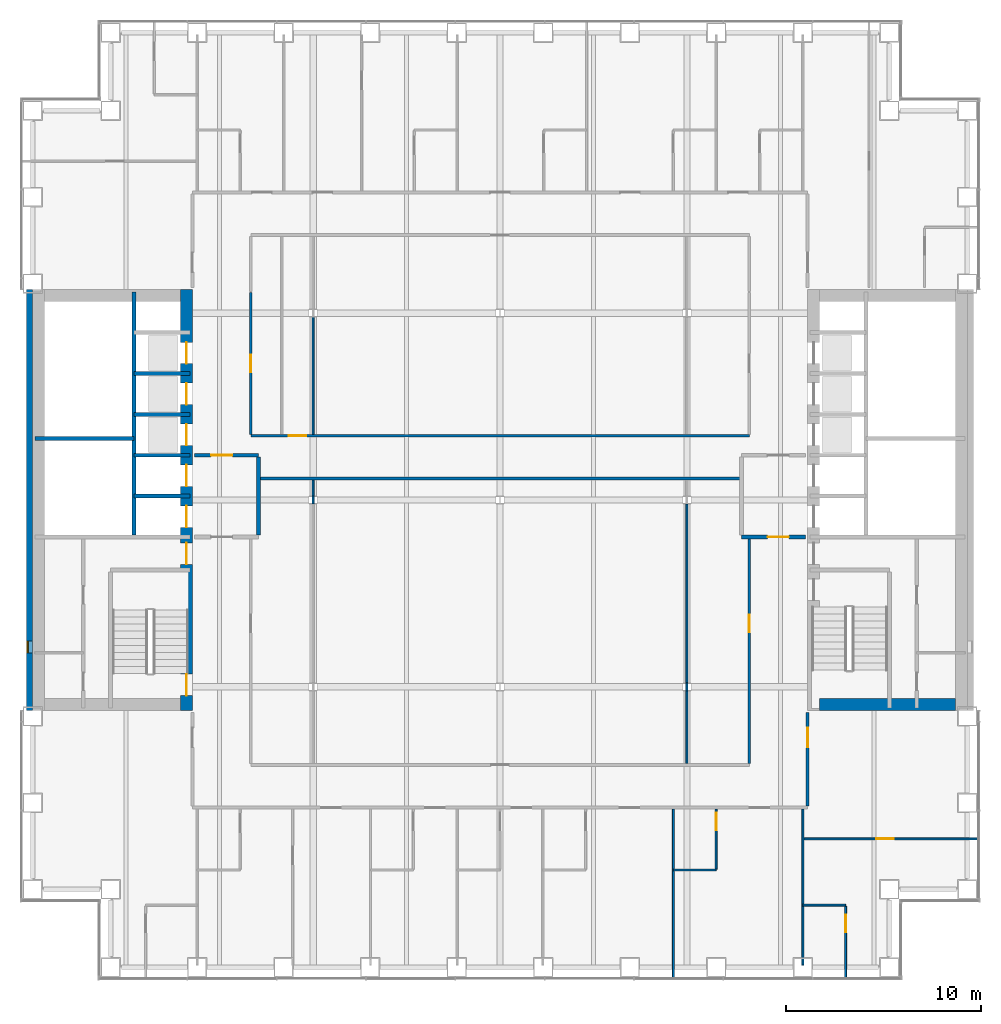
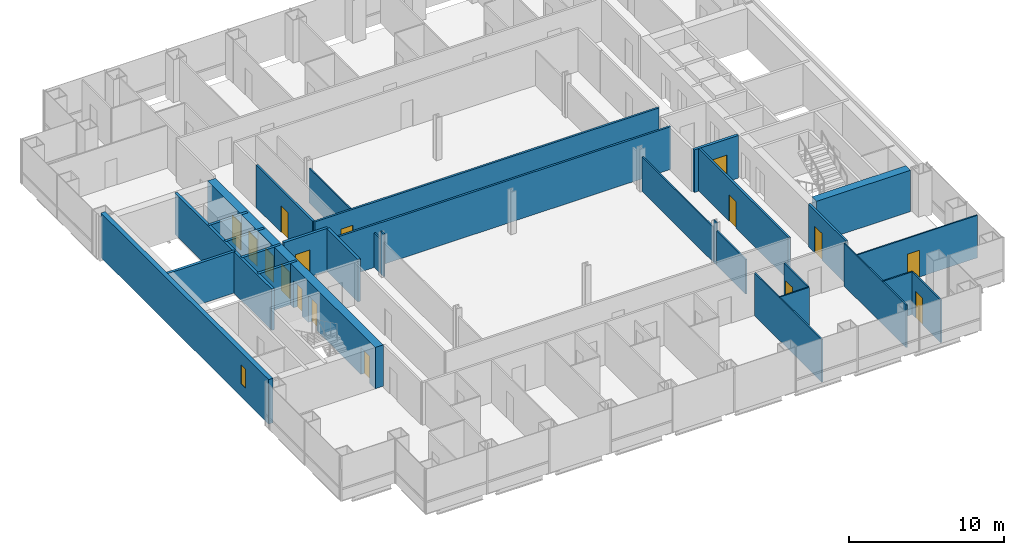
# One storey, part 17 of 21: 30 walls, 16 doors, 1 window, 17 openings.
"""IFC4 building model written with IfcOpenShell, lengths in metres."""

from ifc_helpers import new_model, si_unit, direction, frame, frame_2d, origin, place, context, subcontext, project, spatial, rectangle, extrude, material, layer, layer_set, type_object, element, fill, save


model = new_model("IFC4")

# Units and contexts
model_context = context("Model", 3, precision=1e-05, world=origin(), true_north=direction((0.0, 1.0)))
body_context = subcontext(model_context, "Body", "Model", "MODEL_VIEW")
ifc_project = project(units=[si_unit("LENGTHUNIT", "METRE"), si_unit("AREAUNIT", "SQUARE_METRE"), si_unit("VOLUMEUNIT", "CUBIC_METRE"), si_unit("PLANEANGLEUNIT", "RADIAN"), si_unit("MASSUNIT", "GRAM", prefix="KILO")], contexts=[model_context])

# Site, building, storey
site_placement = place(None, origin())
site = spatial("IfcSite", under=ifc_project, at=site_placement, CompositionType="ELEMENT")
building_placement = place(site_placement, origin())
building = spatial("IfcBuilding", under=site, at=building_placement, Name="Cobrizo Arcos Hotel Tower", CompositionType="ELEMENT")
storey_placement = place(building_placement, frame((0.0, 0.0, 42.5)))
storey = spatial("IfcBuildingStorey", under=building, at=storey_placement, Name="L08", CompositionType="ELEMENT", Elevation=42.5)

# Wall
ifc_material_1 = material(Name="Gypsum board partition")
ifc_layer_1 = layer(ifc_material_1, 0.14990234375)
ifc_layer_set_1 = layer_set([ifc_layer_1], Name="Corridor wall EI 60 150")
wall_type_1 = type_object("IfcWallType", Name="Corridor wall EI 60 150", PredefinedType="PARTITIONING", material=ifc_layer_set_1)
wall_1_placement = place(storey_placement, frame((-12.39990234375, 1.10009765625, 0.0), z_axis=(0.0, 0.0, 1.0), x_axis=(1.0, 0.0, 0.0)))
element("IfcWall", 1, at=wall_1_placement, inside=storey, type_object=wall_type_1, Name="Partition 021", PredefinedType="PARTITIONING", context=body_context, shape_type="SweptSolid", body=[
    extrude(rectangle(XDim=24.7998046875, YDim=0.14990234375, at=frame_2d((12.39990234375, 0.0))), origin(), (0.0, 0.0, 1.0), 3.35009765625),
])

# Wall, opening, door
wall_2_placement = place(storey_placement, frame((-12.800048828125, 3.300048828125, 0.0), z_axis=(0.0, 0.0, 1.0), x_axis=(1.0, 0.0, 0.0)))
wall_2 = element("IfcWall", 2, at=wall_2_placement, inside=storey, type_object=wall_type_1, Name="Partition 028", PredefinedType="PARTITIONING", context=body_context, shape_type="SweptSolid", body=[
    extrude(rectangle(XDim=25.60009765625, YDim=0.14990234375, at=frame_2d((12.800048828125, 0.0))), origin(), (0.0, 0.0, 1.0), 3.35009765625),
])
opening_1_placement = place(wall_2_placement, frame((1.949951171875, 0.0, 0.0)))
opening_1 = element("IfcOpeningElement", 3, at=opening_1_placement, cuts=wall_2, Name="Opening ED-17", PredefinedType="OPENING", context=body_context, shape_type="SweptSolid", body=[
    extrude(rectangle(XDim=0.89990234375, YDim=2.10009765625, at=frame_2d((0.449951171875, 1.050048828125))), frame((0.0, 0.0869140625, 0.0), z_axis=(0.0, -1.0, 0.0), x_axis=(1.0, 0.0, 0.0)), (0.0, 0.0, 1.0), 0.173828125),
])
ifc_material_2 = material(Name="Timber door leaf", Category="wood")
door_type_1 = type_object("IfcDoorType", Name="En-suite door 900x2100", OperationType="SINGLE_SWING_LEFT", PredefinedType="DOOR", material=ifc_material_2)
door_1_placement = place(opening_1_placement, origin())
door_1 = element("IfcDoor", 4, at=door_1_placement, inside=storey, type_object=door_type_1, Name="Door ED-17", OperationType="SINGLE_SWING_RIGHT", OverallHeight=2.10009765625, OverallWidth=0.89990234375, PredefinedType="DOOR", context=body_context, shape_type="SweptSolid", body=[
    extrude(rectangle(XDim=0.89990234375, YDim=2.10009765625, at=frame_2d((0.449951171875, 1.050048828125))), frame((0.0, 0.02490234375, 0.0), z_axis=(0.0, -1.0, 0.0), x_axis=(1.0, 0.0, 0.0)), (0.0, 0.0, 1.0), 0.050048828125),
])
fill(opening_1, door_1)

wall_3_placement = place(storey_placement, frame((-12.800048828125, 3.375, 0.0), z_axis=(0.0, 0.0, 1.0), x_axis=(0.0, 1.0, 0.0)))
wall_3 = element("IfcWall", 5, at=wall_3_placement, inside=storey, type_object=wall_type_1, Name="Partition 057", PredefinedType="PARTITIONING", context=body_context, shape_type="SweptSolid", body=[
    extrude(rectangle(XDim=7.27490234375, YDim=0.14990234375, at=frame_2d((3.637451171875, 0.0))), origin(), (0.0, 0.0, 1.0), 3.35009765625),
])
opening_2_placement = place(wall_3_placement, frame((3.175048828125, 0.0, 0.0)))
opening_2 = element("IfcOpeningElement", 6, at=opening_2_placement, cuts=wall_3, Name="Opening ED-16", PredefinedType="OPENING", context=body_context, shape_type="SweptSolid", body=[
    extrude(rectangle(XDim=0.89990234375, YDim=2.10009765625, at=frame_2d((0.449951171875, 1.050048828125))), frame((0.0, 0.0869140625, 0.0), z_axis=(0.0, -1.0, 0.0), x_axis=(1.0, 0.0, 0.0)), (0.0, 0.0, 1.0), 0.173828125),
])
door_2_placement = place(opening_2_placement, origin())
door_2 = element("IfcDoor", 7, at=door_2_placement, inside=storey, type_object=door_type_1, Name="Door ED-16", OperationType="SINGLE_SWING_RIGHT", OverallHeight=2.10009765625, OverallWidth=0.89990234375, PredefinedType="DOOR", context=body_context, shape_type="SweptSolid", body=[
    extrude(rectangle(XDim=0.89990234375, YDim=2.10009765625, at=frame_2d((0.449951171875, 1.050048828125))), frame((0.0, 0.02490234375, 0.0), z_axis=(0.0, -1.0, 0.0), x_axis=(1.0, 0.0, 0.0)), (0.0, 0.0, 1.0), 0.050048828125),
])
fill(opening_2, door_2)

wall_4_placement = place(storey_placement, frame((12.800048828125, -13.52490234375, 0.0), z_axis=(0.0, 0.0, 1.0), x_axis=(0.0, 1.0, 0.0)))
wall_4 = element("IfcWall", 8, at=wall_4_placement, inside=storey, type_object=wall_type_1, Name="Partition 095", PredefinedType="PARTITIONING", context=body_context, shape_type="SweptSolid", body=[
    extrude(rectangle(XDim=11.52490234375, YDim=0.14990234375, at=frame_2d((5.762451171875, 0.0))), origin(), (0.0, 0.0, 1.0), 3.35009765625),
])
opening_3_placement = place(wall_4_placement, frame((6.72509765625, 0.0, 0.0)))
opening_3 = element("IfcOpeningElement", 9, at=opening_3_placement, cuts=wall_4, Name="Opening RD-11", PredefinedType="OPENING", context=body_context, shape_type="SweptSolid", body=[
    extrude(rectangle(XDim=0.89990234375, YDim=2.10009765625, at=frame_2d((0.449951171875, 1.050048828125))), frame((0.0, 0.0869140625, 0.0), z_axis=(0.0, -1.0, 0.0), x_axis=(1.0, 0.0, 0.0)), (0.0, 0.0, 1.0), 0.173828125),
])
door_type_2 = type_object("IfcDoorType", Name="Room door FD30 900x2100", OperationType="SINGLE_SWING_LEFT", PredefinedType="DOOR", material=ifc_material_2)
door_3_placement = place(opening_3_placement, origin())
door_3 = element("IfcDoor", 10, at=door_3_placement, inside=storey, type_object=door_type_2, Name="Door RD-11", OperationType="SINGLE_SWING_RIGHT", OverallHeight=2.10009765625, OverallWidth=0.89990234375, PredefinedType="DOOR", context=body_context, shape_type="SweptSolid", body=[
    extrude(rectangle(XDim=0.89990234375, YDim=2.10009765625, at=frame_2d((0.449951171875, 1.050048828125))), frame((0.0, 0.02490234375, 0.0), z_axis=(0.0, -1.0, 0.0), x_axis=(1.0, 0.0, 0.0)), (0.0, 0.0, 1.0), 0.050048828125),
])
fill(opening_3, door_3)

wall_5_placement = place(storey_placement, frame((15.800048828125, -15.72509765625, 0.0), z_axis=(0.0, 0.0, 1.0), x_axis=(0.0, 1.0, 0.0)))
wall_5 = element("IfcWall", 11, at=wall_5_placement, inside=storey, type_object=wall_type_1, Name="Partition 101", PredefinedType="PARTITIONING", context=body_context, shape_type="SweptSolid", body=[
    extrude(rectangle(XDim=4.80517578125, YDim=0.14990234375, at=frame_2d((2.402587890625, 0.0))), origin(), (0.0, 0.0, 1.0), 3.35009765625),
])
opening_4_placement = place(wall_5_placement, frame((3.02490234375, 0.0, 0.0)))
opening_4 = element("IfcOpeningElement", 12, at=opening_4_placement, cuts=wall_5, Name="Opening GD-13", PredefinedType="OPENING", context=body_context, shape_type="SweptSolid", body=[
    extrude(rectangle(XDim=1.0, YDim=2.10009765625, at=frame_2d((0.5, 1.050048828125))), frame((0.0, 0.0869140625, 0.0), z_axis=(0.0, -1.0, 0.0), x_axis=(1.0, 0.0, 0.0)), (0.0, 0.0, 1.0), 0.173828125),
])
door_type_3 = type_object("IfcDoorType", Name="Guest room door FD30S 1000x2100", OperationType="SINGLE_SWING_LEFT", PredefinedType="DOOR", material=ifc_material_2)
door_4_placement = place(opening_4_placement, origin())
door_4 = element("IfcDoor", 13, at=door_4_placement, inside=storey, type_object=door_type_3, Name="Door GD-13", OperationType="SINGLE_SWING_LEFT", OverallHeight=2.10009765625, OverallWidth=1.0, PredefinedType="DOOR", context=body_context, shape_type="SweptSolid", body=[
    extrude(rectangle(XDim=1.0, YDim=2.10009765625, at=frame_2d((0.5, 1.050048828125))), frame((0.0, 0.02490234375, 0.0), z_axis=(0.0, -1.0, 0.0), x_axis=(1.0, 0.0, 0.0)), (0.0, 0.0, 1.0), 0.050048828125),
])
fill(opening_4, door_4)

# Wall, opening, window
ifc_material_3 = material(Name="Aluminium composite panel pale metal", Category="aluminium")
ifc_layer_2 = layer(ifc_material_3, 0.324951171875)
ifc_layer_set_2 = layer_set([ifc_layer_2], Name="EW-1 insulated panel wall 325")
wall_type_2 = type_object("IfcWallType", Name="EW-1 insulated panel wall 325", PredefinedType="SOLIDWALL", material=ifc_layer_set_2)
wall_6_placement = place(storey_placement, frame((-24.16259765625, 10.800048828125, 0.0), z_axis=(0.0, 0.0, 1.0), x_axis=(0.0, -1.0, 0.0)))
wall_6 = element("IfcWall", 14, at=wall_6_placement, inside=storey, type_object=wall_type_2, Name="Core face wall L08 W", PredefinedType="SOLIDWALL", context=body_context, shape_type="SweptSolid", body=[
    extrude(rectangle(XDim=21.60009765625, YDim=0.324951171875, at=frame_2d((10.800048828125, 0.0))), origin(), (0.0, 0.0, 1.0), 3.5),
])
opening_5_placement = place(wall_6_placement, frame((18.050048828125, 0.0, 1.0)))
opening_5 = element("IfcOpeningElement", 15, at=opening_5_placement, cuts=wall_6, Name="Opening W-12", PredefinedType="OPENING", context=body_context, shape_type="SweptSolid", body=[
    extrude(rectangle(XDim=0.60009765625, YDim=1.5, at=frame_2d((0.300048828125, 0.75))), frame((0.0, 0.174560546875, 0.0), z_axis=(0.0, -1.0, 0.0), x_axis=(1.0, 0.0, 0.0)), (0.0, 0.0, 1.0), 0.348876953125),
])
ifc_material_4 = material(Name="Aluminium 6063-T6 and clear laminated glass", Category="aluminium")
window_type = type_object("IfcWindowType", Name="W-C1 core stair slot window 600x1500", PartitioningType="SINGLE_PANEL", PredefinedType="WINDOW", material=ifc_material_4)
window_placement = place(opening_5_placement, origin())
window = element("IfcWindow", 16, at=window_placement, inside=storey, type_object=window_type, Name="Core face wall L08 W window W-12", OverallHeight=1.5, OverallWidth=0.60009765625, PartitioningType="SINGLE_PANEL", PredefinedType="WINDOW", context=body_context, shape_type="SweptSolid", body=[
    extrude(rectangle(XDim=0.60009765625, YDim=1.5, at=frame_2d((0.300048828125, 0.75))), frame((0.0, -0.072509765625, 0.0), z_axis=(0.0, -1.0, 0.0), x_axis=(1.0, 0.0, 0.0)), (0.0, 0.0, 1.0), 0.06005859375),
])
fill(opening_5, window)

# Walls
ifc_layer_3 = layer(ifc_material_1, 0.10009765625)
ifc_layer_set_3 = layer_set([ifc_layer_3], Name="Partition EI 30 100")
wall_type_3 = type_object("IfcWallType", Name="Partition EI 30 100", PredefinedType="PARTITIONING", material=ifc_layer_set_3)
wall_7_placement = place(storey_placement, frame((15.550048828125, -20.800048828125, 0.0), z_axis=(0.0, 0.0, 1.0), x_axis=(1.0, 0.0, 0.0)))
element("IfcWall", 17, at=wall_7_placement, inside=storey, type_object=wall_type_3, Name="Partition 002", PredefinedType="PARTITIONING", context=body_context, shape_type="SweptSolid", body=[
    extrude(rectangle(XDim=2.199951171875, YDim=0.10009765625, at=frame_2d((1.10009765625, 0.0))), origin(), (0.0, 0.0, 1.0), 3.35009765625),
])
wall_8_placement = place(storey_placement, frame((8.89990234375, -19.0, 0.0), z_axis=(0.0, 0.0, 1.0), x_axis=(1.0, 0.0, 0.0)))
element("IfcWall", 18, at=wall_8_placement, inside=storey, type_object=wall_type_3, Name="Partition 007", PredefinedType="PARTITIONING", context=body_context, shape_type="SweptSolid", body=[
    extrude(rectangle(XDim=2.2001953125, YDim=0.10009765625, at=frame_2d((1.10009765625, 0.0))), origin(), (0.0, 0.0, 1.0), 3.35009765625),
])

# Wall, opening, door
wall_9_placement = place(storey_placement, frame((15.550048828125, -17.39990234375, 0.0), z_axis=(0.0, 0.0, 1.0), x_axis=(1.0, 0.0, 0.0)))
wall_9 = element("IfcWall", 19, at=wall_9_placement, inside=storey, type_object=wall_type_3, Name="Partition 008", PredefinedType="PARTITIONING", context=body_context, shape_type="SweptSolid", body=[
    extrude(rectangle(XDim=8.97998046875, YDim=0.10009765625, at=frame_2d((4.489990234375, 0.0))), origin(), (0.0, 0.0, 1.0), 3.35009765625),
])
opening_6_placement = place(wall_9_placement, frame((3.778076171875, 0.0, 0.0)))
opening_6 = element("IfcOpeningElement", 20, at=opening_6_placement, cuts=wall_9, Name="Opening RD-07", PredefinedType="OPENING", context=body_context, shape_type="SweptSolid", body=[
    extrude(rectangle(XDim=0.89990234375, YDim=2.10009765625, at=frame_2d((0.449951171875, 1.050048828125))), frame((0.0, 0.06201171875, 0.0), z_axis=(0.0, -1.0, 0.0), x_axis=(1.0, 0.0, 0.0)), (0.0, 0.0, 1.0), 0.1240234375),
])
door_5_placement = place(opening_6_placement, origin())
door_5 = element("IfcDoor", 21, at=door_5_placement, inside=storey, type_object=door_type_2, Name="Door RD-07", OperationType="SINGLE_SWING_RIGHT", OverallHeight=2.10009765625, OverallWidth=0.89990234375, PredefinedType="DOOR", context=body_context, shape_type="SweptSolid", body=[
    extrude(rectangle(XDim=0.89990234375, YDim=2.10009765625, at=frame_2d((0.449951171875, 1.050048828125))), frame((0.0, 0.02490234375, 0.0), z_axis=(0.0, -1.0, 0.0), x_axis=(1.0, 0.0, 0.0)), (0.0, 0.0, 1.0), 0.050048828125),
])
fill(opening_6, door_5)

# Walls
wall_10_placement = place(storey_placement, frame((-9.60009765625, -0.2041015625, 0.0), z_axis=(0.0, 0.0, 1.0), x_axis=(0.0, 1.0, 0.0)))
element("IfcWall", 22, at=wall_10_placement, inside=storey, type_object=wall_type_3, Name="Partition 066", PredefinedType="PARTITIONING", context=body_context, shape_type="SweptSolid", body=[
    extrude(rectangle(XDim=0.408203125, YDim=0.10009765625, at=frame_2d((0.2041015625, 0.0))), origin(), (0.0, 0.0, 1.0), 3.35009765625),
])
wall_11_placement = place(storey_placement, frame((-9.60009765625, 0.2041015625, 0.0), z_axis=(0.0, 0.0, 1.0), x_axis=(0.0, 1.0, 0.0)))
element("IfcWall", 23, at=wall_11_placement, inside=storey, type_object=wall_type_3, Name="Partition 067", PredefinedType="PARTITIONING", context=body_context, shape_type="SweptSolid", body=[
    extrude(rectangle(XDim=0.82080078125, YDim=0.10009765625, at=frame_2d((0.410400390625, 0.0))), origin(), (0.0, 0.0, 1.0), 2.72802734375),
])
wall_12_placement = place(storey_placement, frame((-9.60009765625, 3.375, 0.0), z_axis=(0.0, 0.0, 1.0), x_axis=(0.0, 1.0, 0.0)))
element("IfcWall", 24, at=wall_12_placement, inside=storey, type_object=wall_type_3, Name="Partition 068", PredefinedType="PARTITIONING", context=body_context, shape_type="SweptSolid", body=[
    extrude(rectangle(XDim=6.02099609375, YDim=0.10009765625, at=frame_2d((3.010498046875, 0.0))), origin(), (0.0, 0.0, 1.0), 2.72802734375),
])
wall_13_placement = place(storey_placement, frame((8.89990234375, -24.530029296875, 0.0), z_axis=(0.0, 0.0, 1.0), x_axis=(0.0, 1.0, 0.0)))
element("IfcWall", 25, at=wall_13_placement, inside=storey, type_object=wall_type_3, Name="Partition 082", PredefinedType="PARTITIONING", context=body_context, shape_type="SweptSolid", body=[
    extrude(rectangle(XDim=8.655029296875, YDim=0.10009765625, at=frame_2d((4.32763671875, 0.0))), origin(), (0.0, 0.0, 1.0), 3.35009765625),
])
wall_14_placement = place(storey_placement, frame((9.60009765625, -13.52490234375, 0.0), z_axis=(0.0, 0.0, 1.0), x_axis=(0.0, 1.0, 0.0)))
element("IfcWall", 26, at=wall_14_placement, inside=storey, type_object=wall_type_3, Name="Partition 084", PredefinedType="PARTITIONING", context=body_context, shape_type="SweptSolid", body=[
    extrude(rectangle(XDim=3.720947265625, YDim=0.10009765625, at=frame_2d((1.8603515625, 0.0))), origin(), (0.0, 0.0, 1.0), 2.72802734375),
])
wall_15_placement = place(storey_placement, frame((9.60009765625, -9.803955078125, 0.0), z_axis=(0.0, 0.0, 1.0), x_axis=(0.0, 1.0, 0.0)))
element("IfcWall", 27, at=wall_15_placement, inside=storey, type_object=wall_type_3, Name="Partition 085", PredefinedType="PARTITIONING", context=body_context, shape_type="SweptSolid", body=[
    extrude(rectangle(XDim=0.407958984375, YDim=0.10009765625, at=frame_2d((0.2041015625, 0.0))), origin(), (0.0, 0.0, 1.0), 3.35009765625),
])
wall_16_placement = place(storey_placement, frame((9.60009765625, -9.39599609375, 0.0), z_axis=(0.0, 0.0, 1.0), x_axis=(0.0, 1.0, 0.0)))
element("IfcWall", 28, at=wall_16_placement, inside=storey, type_object=wall_type_3, Name="Partition 086", PredefinedType="PARTITIONING", context=body_context, shape_type="SweptSolid", body=[
    extrude(rectangle(XDim=9.19189453125, YDim=0.10009765625, at=frame_2d((4.595947265625, 0.0))), origin(), (0.0, 0.0, 1.0), 2.72802734375),
])

# Wall, opening, door
wall_17_placement = place(storey_placement, frame((11.10009765625, -18.949951171875, 0.0), z_axis=(0.0, 0.0, 1.0), x_axis=(0.0, 1.0, 0.0)))
wall_17 = element("IfcWall", 29, at=wall_17_placement, inside=storey, type_object=wall_type_3, Name="Partition 092", PredefinedType="PARTITIONING", context=body_context, shape_type="SweptSolid", body=[
    extrude(rectangle(XDim=3.074951171875, YDim=0.10009765625, at=frame_2d((1.53759765625, 0.0))), origin(), (0.0, 0.0, 1.0), 3.35009765625),
])
opening_7_placement = place(wall_17_placement, frame((1.99609375, 0.0, 0.0)))
opening_7 = element("IfcOpeningElement", 30, at=opening_7_placement, cuts=wall_17, Name="Opening ED-11", PredefinedType="OPENING", context=body_context, shape_type="SweptSolid", body=[
    extrude(rectangle(XDim=0.89990234375, YDim=2.10009765625, at=frame_2d((0.449951171875, 1.050048828125))), frame((0.0, 0.06201171875, 0.0), z_axis=(0.0, -1.0, 0.0), x_axis=(1.0, 0.0, 0.0)), (0.0, 0.0, 1.0), 0.1240234375),
])
door_6_placement = place(opening_7_placement, origin())
door_6 = element("IfcDoor", 31, at=door_6_placement, inside=storey, type_object=door_type_1, Name="Door ED-11", OperationType="SINGLE_SWING_RIGHT", OverallHeight=2.10009765625, OverallWidth=0.89990234375, PredefinedType="DOOR", context=body_context, shape_type="SweptSolid", body=[
    extrude(rectangle(XDim=0.89990234375, YDim=2.10009765625, at=frame_2d((0.449951171875, 1.050048828125))), frame((0.0, 0.02490234375, 0.0), z_axis=(0.0, -1.0, 0.0), x_axis=(1.0, 0.0, 0.0)), (0.0, 0.0, 1.0), 0.050048828125),
])
fill(opening_7, door_6)

# Wall
wall_18_placement = place(storey_placement, frame((15.550048828125, -23.8798828125, 0.0), z_axis=(0.0, 0.0, 1.0), x_axis=(0.0, 1.0, 0.0)))
element("IfcWall", 32, at=wall_18_placement, inside=storey, type_object=wall_type_3, Name="Partition 099", PredefinedType="PARTITIONING", context=body_context, shape_type="SweptSolid", body=[
    extrude(rectangle(XDim=8.0048828125, YDim=0.10009765625, at=frame_2d((4.00244140625, 0.0))), origin(), (0.0, 0.0, 1.0), 3.35009765625),
])

# Wall, opening, door
wall_19_placement = place(storey_placement, frame((17.75, -24.530029296875, 0.0), z_axis=(0.0, 0.0, 1.0), x_axis=(0.0, 1.0, 0.0)))
wall_19 = element("IfcWall", 33, at=wall_19_placement, inside=storey, type_object=wall_type_3, Name="Partition 103", PredefinedType="PARTITIONING", context=body_context, shape_type="SweptSolid", body=[
    extrude(rectangle(XDim=3.679931640625, YDim=0.10009765625, at=frame_2d((1.83984375, 0.0))), origin(), (0.0, 0.0, 1.0), 3.35009765625),
])
opening_8_placement = place(wall_19_placement, frame((2.320068359375, 0.0, 0.0)))
opening_8 = element("IfcOpeningElement", 34, at=opening_8_placement, cuts=wall_19, Name="Opening ED-14", PredefinedType="OPENING", context=body_context, shape_type="SweptSolid", body=[
    extrude(rectangle(XDim=0.89990234375, YDim=2.10009765625, at=frame_2d((0.449951171875, 1.050048828125))), frame((0.0, 0.06201171875, 0.0), z_axis=(0.0, -1.0, 0.0), x_axis=(1.0, 0.0, 0.0)), (0.0, 0.0, 1.0), 0.1240234375),
])
door_7_placement = place(opening_8_placement, origin())
door_7 = element("IfcDoor", 35, at=door_7_placement, inside=storey, type_object=door_type_1, Name="Door ED-14", OperationType="SINGLE_SWING_RIGHT", OverallHeight=2.10009765625, OverallWidth=0.89990234375, PredefinedType="DOOR", context=body_context, shape_type="SweptSolid", body=[
    extrude(rectangle(XDim=0.89990234375, YDim=2.10009765625, at=frame_2d((0.449951171875, 1.050048828125))), frame((0.0, 0.02490234375, 0.0), z_axis=(0.0, -1.0, 0.0), x_axis=(1.0, 0.0, 0.0)), (0.0, 0.0, 1.0), 0.050048828125),
])
fill(opening_8, door_7)

# Wall
ifc_material_5 = material(Name="Concrete f'c 60 MPa", Category="concrete")
ifc_layer_4 = layer(ifc_material_5, 0.60009765625)
ifc_layer_set_4 = layer_set([ifc_layer_4], Name="RC core wall 600 f'c 60")
wall_type_4 = type_object("IfcWallType", Name="RC core wall 600 f'c 60", PredefinedType="SHEAR", material=ifc_layer_set_4)
wall_20_placement = place(storey_placement, frame((16.39990234375, -10.5, 0.0), z_axis=(0.0, 0.0, 1.0), x_axis=(1.0, 0.0, 0.0)))
element("IfcWall", 36, at=wall_20_placement, inside=storey, type_object=wall_type_4, Name="Core wall CW1, east core, south end, L08", PredefinedType="SHEAR", context=body_context, shape_type="SweptSolid", body=[
    extrude(rectangle(XDim=7.0, YDim=0.60009765625, at=frame_2d((3.5, 0.0))), origin(), (0.0, 0.0, 1.0), 3.25),
])

# Wall, openings, doors
wall_21_placement = place(storey_placement, frame((-16.10009765625, -10.800048828125, 0.0), z_axis=(0.0, 0.0, 1.0), x_axis=(0.0, 1.0, 0.0)))
wall_21 = element("IfcWall", 37, at=wall_21_placement, inside=storey, type_object=wall_type_4, Name="Core wall CW1, west core, inner face, L08", PredefinedType="SHEAR", context=body_context, shape_type="SweptSolid", body=[
    extrude(rectangle(XDim=21.60009765625, YDim=0.60009765625, at=frame_2d((10.800048828125, 0.0))), origin(), (0.0, 0.0, 1.0), 3.25),
])
opening_9_placement = place(wall_21_placement, frame((9.39990234375, 0.0, 0.0)))
opening_9 = element("IfcOpeningElement", 38, at=opening_9_placement, cuts=wall_21, Name="Opening LD-01", PredefinedType="OPENING", context=body_context, shape_type="SweptSolid", body=[
    extrude(rectangle(XDim=1.10009765625, YDim=2.10009765625, at=frame_2d((0.550048828125, 1.050048828125))), frame((0.0, 0.31201171875, 0.0), z_axis=(0.0, -1.0, 0.0), x_axis=(1.0, 0.0, 0.0)), (0.0, 0.0, 1.0), 0.6240234375),
])
opening_10_placement = place(wall_21_placement, frame((11.5, 0.0, 0.0)))
opening_10 = element("IfcOpeningElement", 39, at=opening_10_placement, cuts=wall_21, Name="Opening LD-02", PredefinedType="OPENING", context=body_context, shape_type="SweptSolid", body=[
    extrude(rectangle(XDim=1.10009765625, YDim=2.10009765625, at=frame_2d((0.550048828125, 1.050048828125))), frame((0.0, 0.31201171875, 0.0), z_axis=(0.0, -1.0, 0.0), x_axis=(1.0, 0.0, 0.0)), (0.0, 0.0, 1.0), 0.6240234375),
])
opening_11_placement = place(wall_21_placement, frame((13.60009765625, 0.0, 0.0)))
opening_11 = element("IfcOpeningElement", 40, at=opening_11_placement, cuts=wall_21, Name="Opening LD-03", PredefinedType="OPENING", context=body_context, shape_type="SweptSolid", body=[
    extrude(rectangle(XDim=1.10009765625, YDim=2.10009765625, at=frame_2d((0.550048828125, 1.050048828125))), frame((0.0, 0.31201171875, 0.0), z_axis=(0.0, -1.0, 0.0), x_axis=(1.0, 0.0, 0.0)), (0.0, 0.0, 1.0), 0.6240234375),
])
opening_12_placement = place(wall_21_placement, frame((15.699951171875, 0.0, 0.0)))
opening_12 = element("IfcOpeningElement", 41, at=opening_12_placement, cuts=wall_21, Name="Opening LD-04", PredefinedType="OPENING", context=body_context, shape_type="SweptSolid", body=[
    extrude(rectangle(XDim=1.10009765625, YDim=2.10009765625, at=frame_2d((0.550048828125, 1.050048828125))), frame((0.0, 0.31201171875, 0.0), z_axis=(0.0, -1.0, 0.0), x_axis=(1.0, 0.0, 0.0)), (0.0, 0.0, 1.0), 0.6240234375),
])
opening_13_placement = place(wall_21_placement, frame((17.800048828125, 0.0, 0.0)))
opening_13 = element("IfcOpeningElement", 42, at=opening_13_placement, cuts=wall_21, Name="Opening LD-05", PredefinedType="OPENING", context=body_context, shape_type="SweptSolid", body=[
    extrude(rectangle(XDim=1.10009765625, YDim=2.10009765625, at=frame_2d((0.550048828125, 1.050048828125))), frame((0.0, 0.31201171875, 0.0), z_axis=(0.0, -1.0, 0.0), x_axis=(1.0, 0.0, 0.0)), (0.0, 0.0, 1.0), 0.6240234375),
])
opening_14_placement = place(wall_21_placement, frame((0.758056640625, 0.0, 0.0)))
opening_14 = element("IfcOpeningElement", 43, at=opening_14_placement, cuts=wall_21, Name="Opening SD-01", PredefinedType="OPENING", context=body_context, shape_type="SweptSolid", body=[
    extrude(rectangle(XDim=1.10009765625, YDim=2.10009765625, at=frame_2d((0.550048828125, 1.050048828125))), frame((0.0, 0.31201171875, 0.0), z_axis=(0.0, -1.0, 0.0), x_axis=(1.0, 0.0, 0.0)), (0.0, 0.0, 1.0), 0.6240234375),
])
opening_15_placement = place(wall_21_placement, frame((7.5, 0.0, 0.0)))
opening_15 = element("IfcOpeningElement", 44, at=opening_15_placement, cuts=wall_21, Name="Opening FD-01", PredefinedType="OPENING", context=body_context, shape_type="SweptSolid", body=[
    extrude(rectangle(XDim=1.10009765625, YDim=2.10009765625, at=frame_2d((0.550048828125, 1.050048828125))), frame((0.0, 0.31201171875, 0.0), z_axis=(0.0, -1.0, 0.0), x_axis=(1.0, 0.0, 0.0)), (0.0, 0.0, 1.0), 0.6240234375),
])
ifc_material_6 = material(Name="Steel door leaf", Category="steel")
door_type_4 = type_object("IfcDoorType", Name="Fire door FD60 1100x2100", OperationType="SINGLE_SWING_LEFT", PredefinedType="DOOR", material=ifc_material_6)
door_8_placement = place(opening_15_placement, origin())
door_8 = element("IfcDoor", 45, at=door_8_placement, inside=storey, type_object=door_type_4, Name="Door FD-01", OperationType="SINGLE_SWING_LEFT", OverallHeight=2.10009765625, OverallWidth=1.10009765625, PredefinedType="DOOR", context=body_context, shape_type="SweptSolid", body=[
    extrude(rectangle(XDim=1.10009765625, YDim=2.10009765625, at=frame_2d((0.550048828125, 1.050048828125))), frame((0.0, 0.02490234375, 0.0), z_axis=(0.0, -1.0, 0.0), x_axis=(1.0, 0.0, 0.0)), (0.0, 0.0, 1.0), 0.050048828125),
])
fill(opening_15, door_8)
door_type_5 = type_object("IfcDoorType", Name="Lift landing door 1100x2100", OperationType="SLIDING_TO_LEFT", PredefinedType="DOOR", material=ifc_material_6)
door_9_placement = place(opening_9_placement, origin())
door_9 = element("IfcDoor", 46, at=door_9_placement, inside=storey, type_object=door_type_5, Name="Lift landing door LD-01", OperationType="SLIDING_TO_LEFT", OverallHeight=2.10009765625, OverallWidth=1.10009765625, PredefinedType="DOOR", context=body_context, shape_type="SweptSolid", body=[
    extrude(rectangle(XDim=1.10009765625, YDim=2.10009765625, at=frame_2d((0.550048828125, 1.050048828125))), frame((0.0, 0.02490234375, 0.0), z_axis=(0.0, -1.0, 0.0), x_axis=(1.0, 0.0, 0.0)), (0.0, 0.0, 1.0), 0.050048828125),
])
fill(opening_9, door_9)
door_10_placement = place(opening_10_placement, origin())
door_10 = element("IfcDoor", 47, at=door_10_placement, inside=storey, type_object=door_type_5, Name="Lift landing door LD-02", OperationType="SLIDING_TO_LEFT", OverallHeight=2.10009765625, OverallWidth=1.10009765625, PredefinedType="DOOR", context=body_context, shape_type="SweptSolid", body=[
    extrude(rectangle(XDim=1.10009765625, YDim=2.10009765625, at=frame_2d((0.550048828125, 1.050048828125))), frame((0.0, 0.02490234375, 0.0), z_axis=(0.0, -1.0, 0.0), x_axis=(1.0, 0.0, 0.0)), (0.0, 0.0, 1.0), 0.050048828125),
])
fill(opening_10, door_10)
door_11_placement = place(opening_11_placement, origin())
door_11 = element("IfcDoor", 48, at=door_11_placement, inside=storey, type_object=door_type_5, Name="Lift landing door LD-03", OperationType="SLIDING_TO_LEFT", OverallHeight=2.10009765625, OverallWidth=1.10009765625, PredefinedType="DOOR", context=body_context, shape_type="SweptSolid", body=[
    extrude(rectangle(XDim=1.10009765625, YDim=2.10009765625, at=frame_2d((0.550048828125, 1.050048828125))), frame((0.0, 0.02490234375, 0.0), z_axis=(0.0, -1.0, 0.0), x_axis=(1.0, 0.0, 0.0)), (0.0, 0.0, 1.0), 0.050048828125),
])
fill(opening_11, door_11)
door_12_placement = place(opening_12_placement, origin())
door_12 = element("IfcDoor", 49, at=door_12_placement, inside=storey, type_object=door_type_5, Name="Lift landing door LD-04", OperationType="SLIDING_TO_LEFT", OverallHeight=2.10009765625, OverallWidth=1.10009765625, PredefinedType="DOOR", context=body_context, shape_type="SweptSolid", body=[
    extrude(rectangle(XDim=1.10009765625, YDim=2.10009765625, at=frame_2d((0.550048828125, 1.050048828125))), frame((0.0, 0.02490234375, 0.0), z_axis=(0.0, -1.0, 0.0), x_axis=(1.0, 0.0, 0.0)), (0.0, 0.0, 1.0), 0.050048828125),
])
fill(opening_12, door_12)
door_13_placement = place(opening_13_placement, origin())
door_13 = element("IfcDoor", 50, at=door_13_placement, inside=storey, type_object=door_type_5, Name="Lift landing door LD-05", OperationType="SLIDING_TO_LEFT", OverallHeight=2.10009765625, OverallWidth=1.10009765625, PredefinedType="DOOR", context=body_context, shape_type="SweptSolid", body=[
    extrude(rectangle(XDim=1.10009765625, YDim=2.10009765625, at=frame_2d((0.550048828125, 1.050048828125))), frame((0.0, 0.02490234375, 0.0), z_axis=(0.0, -1.0, 0.0), x_axis=(1.0, 0.0, 0.0)), (0.0, 0.0, 1.0), 0.050048828125),
])
fill(opening_13, door_13)
door_type_6 = type_object("IfcDoorType", Name="Stair door FD60S 1100x2100", OperationType="SINGLE_SWING_LEFT", PredefinedType="DOOR", material=ifc_material_6)
door_14_placement = place(opening_14_placement, origin())
door_14 = element("IfcDoor", 51, at=door_14_placement, inside=storey, type_object=door_type_6, Name="Door SD-01", OperationType="SINGLE_SWING_RIGHT", OverallHeight=2.10009765625, OverallWidth=1.10009765625, PredefinedType="DOOR", context=body_context, shape_type="SweptSolid", body=[
    extrude(rectangle(XDim=1.10009765625, YDim=2.10009765625, at=frame_2d((0.550048828125, 1.050048828125))), frame((0.0, 0.02490234375, 0.0), z_axis=(0.0, -1.0, 0.0), x_axis=(1.0, 0.0, 0.0)), (0.0, 0.0, 1.0), 0.050048828125),
])
fill(opening_14, door_14)

# Wall, opening, door
ifc_layer_5 = layer(ifc_material_1, 0.199951171875)
ifc_layer_set_5 = layer_set([ifc_layer_5], Name="Shaft wall EI 120 200")
wall_type_5 = type_object("IfcWallType", Name="Shaft wall EI 120 200", PredefinedType="PARTITIONING", material=ifc_layer_set_5)
wall_22_placement = place(storey_placement, frame((12.39990234375, -1.89990234375, 0.0), z_axis=(0.0, 0.0, 1.0), x_axis=(1.0, 0.0, 0.0)))
wall_22 = element("IfcWall", 52, at=wall_22_placement, inside=storey, type_object=wall_type_5, Name="Partition 017", PredefinedType="PARTITIONING", context=body_context, shape_type="SweptSolid", body=[
    extrude(rectangle(XDim=3.280029296875, YDim=0.199951171875, at=frame_2d((1.64013671875, 0.0))), origin(), (0.0, 0.0, 1.0), 3.35009765625),
])
opening_16_placement = place(wall_22_placement, frame((1.340087890625, 0.0, 0.0)))
opening_16 = element("IfcOpeningElement", 53, at=opening_16_placement, cuts=wall_22, Name="Opening FD-06", PredefinedType="OPENING", context=body_context, shape_type="SweptSolid", body=[
    extrude(rectangle(XDim=1.10009765625, YDim=2.10009765625, at=frame_2d((0.550048828125, 1.050048828125))), frame((0.0, 0.112060546875, 0.0), z_axis=(0.0, -1.0, 0.0), x_axis=(1.0, 0.0, 0.0)), (0.0, 0.0, 1.0), 0.223876953125),
])
door_15_placement = place(opening_16_placement, origin())
door_15 = element("IfcDoor", 54, at=door_15_placement, inside=storey, type_object=door_type_4, Name="Door FD-06", OperationType="SINGLE_SWING_LEFT", OverallHeight=2.10009765625, OverallWidth=1.10009765625, PredefinedType="DOOR", context=body_context, shape_type="SweptSolid", body=[
    extrude(rectangle(XDim=1.10009765625, YDim=2.10009765625, at=frame_2d((0.550048828125, 1.050048828125))), frame((0.0, 0.02490234375, 0.0), z_axis=(0.0, -1.0, 0.0), x_axis=(1.0, 0.0, 0.0)), (0.0, 0.0, 1.0), 0.050048828125),
])
fill(opening_16, door_15)

# Walls
for number, where, z_axis, x_axis, name in (
    (55, (-18.800048828125, 0.199951171875, 0.0), (0.0, 0.0, 1.0), (1.0, 0.0, 0.0), "Partition 019"),
    (56, (-18.800048828125, 2.300048828125, 0.0), (0.0, 0.0, 1.0), (1.0, 0.0, 0.0), "Partition 022"),
):
    element("IfcWall", number, at=place(storey_placement, frame(where, z_axis=z_axis, x_axis=x_axis)), inside=storey, type_object=wall_type_5, Name=name, PredefinedType="PARTITIONING", context=body_context, shape_type="SweptSolid", body=[
        extrude(rectangle(XDim=2.880126953125, YDim=0.199951171875, at=frame_2d((1.43994140625, 0.0))), origin(), (0.0, 0.0, 1.0), 3.25),
    ])

# Wall, opening, door
wall_23_placement = place(storey_placement, frame((-15.679931640625, 2.300048828125, 0.0), z_axis=(0.0, 0.0, 1.0), x_axis=(1.0, 0.0, 0.0)))
wall_23 = element("IfcWall", 57, at=wall_23_placement, inside=storey, type_object=wall_type_5, Name="Partition 023", PredefinedType="PARTITIONING", context=body_context, shape_type="SweptSolid", body=[
    extrude(rectangle(XDim=3.280029296875, YDim=0.199951171875, at=frame_2d((1.64013671875, 0.0))), origin(), (0.0, 0.0, 1.0), 3.35009765625),
])
opening_17_placement = place(wall_23_placement, frame((0.840087890625, 0.0, 0.0)))
opening_17 = element("IfcOpeningElement", 58, at=opening_17_placement, cuts=wall_23, Name="Opening FD-02", PredefinedType="OPENING", context=body_context, shape_type="SweptSolid", body=[
    extrude(rectangle(XDim=1.10009765625, YDim=2.10009765625, at=frame_2d((0.550048828125, 1.050048828125))), frame((0.0, 0.112060546875, 0.0), z_axis=(0.0, -1.0, 0.0), x_axis=(1.0, 0.0, 0.0)), (0.0, 0.0, 1.0), 0.223876953125),
])
door_16_placement = place(opening_17_placement, origin())
door_16 = element("IfcDoor", 59, at=door_16_placement, inside=storey, type_object=door_type_4, Name="Door FD-02", OperationType="SINGLE_SWING_LEFT", OverallHeight=2.10009765625, OverallWidth=1.10009765625, PredefinedType="DOOR", context=body_context, shape_type="SweptSolid", body=[
    extrude(rectangle(XDim=1.10009765625, YDim=2.10009765625, at=frame_2d((0.550048828125, 1.050048828125))), frame((0.0, 0.02490234375, 0.0), z_axis=(0.0, -1.0, 0.0), x_axis=(1.0, 0.0, 0.0)), (0.0, 0.0, 1.0), 0.050048828125),
])
fill(opening_17, door_16)

# Walls
wall_24_placement = place(storey_placement, frame((-23.8798828125, 3.14990234375, 0.0), z_axis=(0.0, 0.0, 1.0), x_axis=(1.0, 0.0, 0.0)))
element("IfcWall", 60, at=wall_24_placement, inside=storey, type_object=wall_type_5, Name="Partition 026", PredefinedType="PARTITIONING", context=body_context, shape_type="SweptSolid", body=[
    extrude(rectangle(XDim=5.079833984375, YDim=0.199951171875, at=frame_2d((2.5400390625, 0.0))), origin(), (0.0, 0.0, 1.0), 3.25),
])
for number, where, z_axis, x_axis, name in (
    (61, (-18.800048828125, 4.39990234375, 0.0), (0.0, 0.0, 1.0), (1.0, 0.0, 0.0), "Partition 029"),
    (62, (-18.800048828125, 6.5, 0.0), (0.0, 0.0, 1.0), (1.0, 0.0, 0.0), "Partition 031"),
):
    element("IfcWall", number, at=place(storey_placement, frame(where, z_axis=z_axis, x_axis=x_axis)), inside=storey, type_object=wall_type_5, Name=name, PredefinedType="PARTITIONING", context=body_context, shape_type="SweptSolid", body=[
        extrude(rectangle(XDim=2.880126953125, YDim=0.199951171875, at=frame_2d((1.43994140625, 0.0))), origin(), (0.0, 0.0, 1.0), 3.25),
    ])
wall_25_placement = place(storey_placement, frame((-18.800048828125, -1.800048828125, 0.0), z_axis=(0.0, 0.0, 1.0), x_axis=(0.0, 1.0, 0.0)))
element("IfcWall", 63, at=wall_25_placement, inside=storey, type_object=wall_type_5, Name="Partition 047", PredefinedType="PARTITIONING", context=body_context, shape_type="SweptSolid", body=[
    extrude(rectangle(XDim=12.47998046875, YDim=0.199951171875, at=frame_2d((6.239990234375, 0.0))), origin(), (0.0, 0.0, 1.0), 3.25),
])
wall_26_placement = place(storey_placement, frame((-12.39990234375, -1.800048828125, 0.0), z_axis=(0.0, 0.0, 1.0), x_axis=(0.0, 1.0, 0.0)))
element("IfcWall", 64, at=wall_26_placement, inside=storey, type_object=wall_type_5, Name="Partition 059", PredefinedType="PARTITIONING", context=body_context, shape_type="SweptSolid", body=[
    extrude(rectangle(XDim=4.0, YDim=0.199951171875, at=frame_2d((2.0, 0.0))), origin(), (0.0, 0.0, 1.0), 3.35009765625),
])

save(model, "model.ifc")
